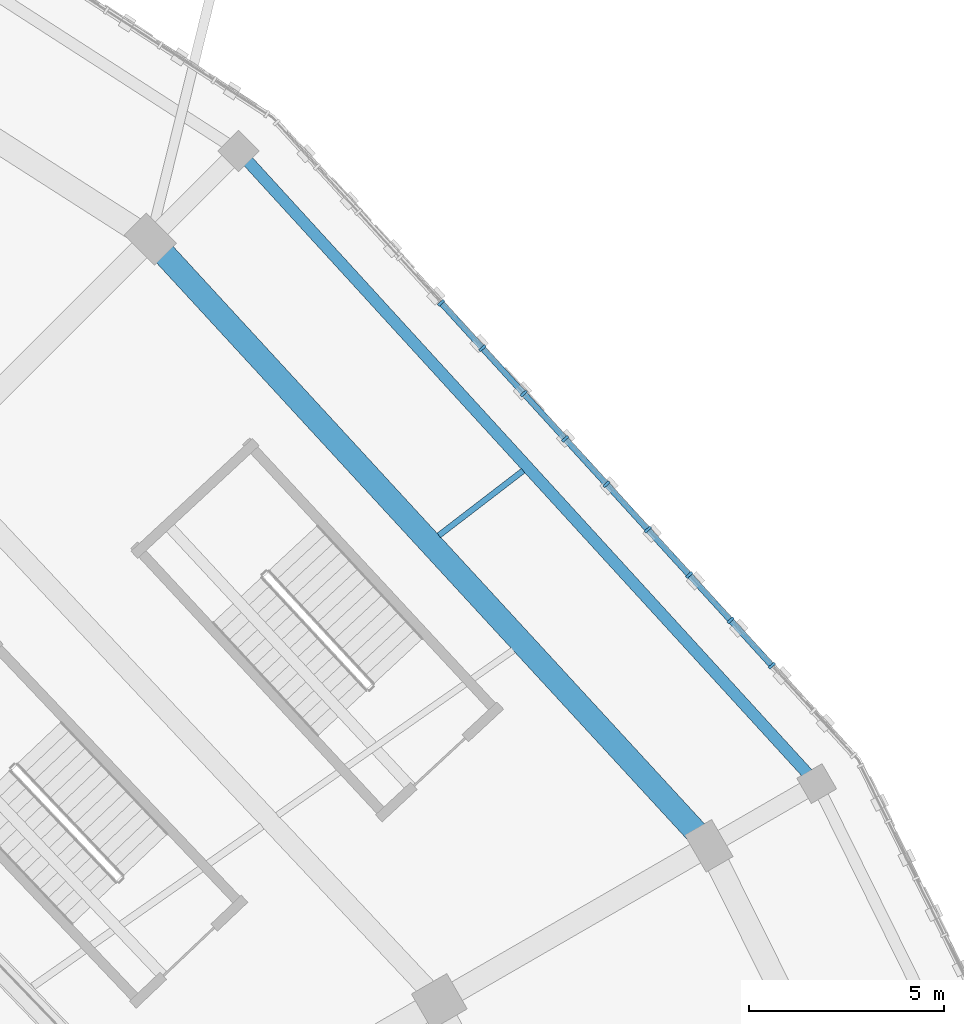
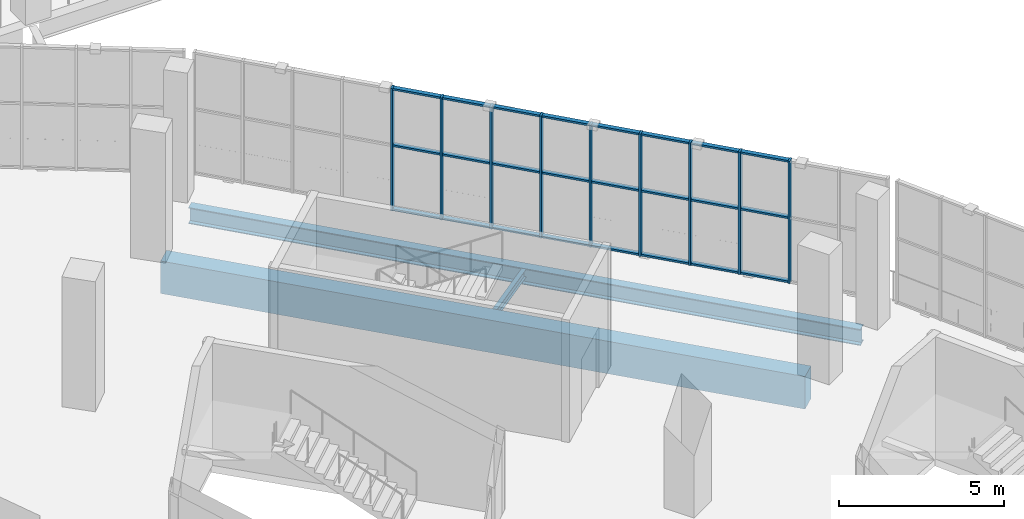
# One storey, part 61 of 183: 33 members, 3 beams, 1 element without a shape of its own.
"""IFC4 building model written with IfcOpenShell, lengths in metres."""

from ifc_helpers import new_model, si_unit, direction, frame, origin, origin_2d, place, context, subcontext, project, spatial, rectangle, i_section, extrude, material, material_profile, profile_set, type_object, element, aggregate, save


model = new_model("IFC4")

# Units and contexts
model_context = context("Model", 3, precision=1e-05, world=origin(), true_north=direction((0.0, 1.0)))
body_context = subcontext(model_context, "Body", "Model", "MODEL_VIEW")
ifc_project = project(units=[si_unit("LENGTHUNIT", "METRE"), si_unit("AREAUNIT", "SQUARE_METRE"), si_unit("VOLUMEUNIT", "CUBIC_METRE"), si_unit("PLANEANGLEUNIT", "RADIAN"), si_unit("MASSUNIT", "GRAM", prefix="KILO")], contexts=[model_context])

# Site, building, storey
site_placement = place(None, origin())
site = spatial("IfcSite", under=ifc_project, at=site_placement, CompositionType="ELEMENT")
building_placement = place(site_placement, origin())
building = spatial("IfcBuilding", under=site, at=building_placement, Name="Zevraka Park Crest Stadium", CompositionType="ELEMENT")
storey_placement = place(building_placement, frame((0.0, 0.0, 5.39990234375)))
storey = spatial("IfcBuildingStorey", under=building, at=storey_placement, Name="L01", CompositionType="ELEMENT", Elevation=5.39990234375)

# Curtain wall, members
ifc_material_1 = material(Name="Anodised architectural aluminium and laminated safety glass", Category="aluminium")
curtain_wall_type = type_object("IfcCurtainWallType", Name="CW03", PredefinedType="NOTDEFINED", material=ifc_material_1)
curtain_wall_placement = place(storey_placement, origin())
curtain_wall = element("IfcCurtainWall", 1, at=curtain_wall_placement, inside=storey, type_object=curtain_wall_type, Name="Unitised Ring Curtain Wall CW03 L01-02", PredefinedType="NOTDEFINED")
ifc_material_2 = material(Name="Anodised architectural aluminium", Category="aluminium")
ifc_material_profile_1 = material_profile(ifc_material_2, rectangle(XDim=0.199951171875, YDim=0.070068359375, at=origin_2d()), Name="ALU MULLION 200x70")
ifc_profile_set_1 = profile_set([ifc_material_profile_1], Name="Anodised architectural aluminium")
member_type_1 = type_object("IfcMemberType", Name="CM03", PredefinedType="MULLION", material=ifc_profile_set_1)
member_1_placement = place(storey_placement, frame((191.82080078125, 134.281494140625, 0.0), z_axis=(0.0, 0.0, 1.0), x_axis=(-0.739023476371, -0.673679672672, 0.0)))
member_1 = element("IfcMember", 2, at=member_1_placement, type_object=member_type_1, Name="CW03 mullion 3", PredefinedType="MULLION", context=body_context, shape_type="SweptSolid", body=[
    extrude(rectangle(XDim=0.199951171875, YDim=0.070068359375, at=origin_2d()), origin(), (0.0, 0.0, 1.0), 4.52001953125),
])
member_2_placement = place(storey_placement, frame((190.758056640625, 135.447021484375, 0.0), z_axis=(0.0, 0.0, 1.0), x_axis=(-0.739023476371, -0.673679672672, 0.0)))
member_2 = element("IfcMember", 3, at=member_2_placement, type_object=member_type_1, Name="CW03 mullion 4", PredefinedType="MULLION", context=body_context, shape_type="SweptSolid", body=[
    extrude(rectangle(XDim=0.199951171875, YDim=0.070068359375, at=origin_2d()), origin(), (0.0, 0.0, 1.0), 4.52001953125),
])
member_3_placement = place(storey_placement, frame((189.6953125, 136.61279296875, 0.0), z_axis=(0.0, 0.0, 1.0), x_axis=(-0.739023476371, -0.673679672672, 0.0)))
member_3 = element("IfcMember", 4, at=member_3_placement, type_object=member_type_1, Name="CW03 mullion 5", PredefinedType="MULLION", context=body_context, shape_type="SweptSolid", body=[
    extrude(rectangle(XDim=0.199951171875, YDim=0.070068359375, at=origin_2d()), origin(), (0.0, 0.0, 1.0), 4.52001953125),
])
member_4_placement = place(storey_placement, frame((188.6328125, 137.778564453125, 0.0), z_axis=(0.0, 0.0, 1.0), x_axis=(-0.739023476371, -0.673679672672, 0.0)))
member_4 = element("IfcMember", 5, at=member_4_placement, type_object=member_type_1, Name="CW03 mullion 6", PredefinedType="MULLION", context=body_context, shape_type="SweptSolid", body=[
    extrude(rectangle(XDim=0.199951171875, YDim=0.070068359375, at=origin_2d()), origin(), (0.0, 0.0, 1.0), 4.52001953125),
])
member_5_placement = place(storey_placement, frame((187.570068359375, 138.9443359375, 0.0), z_axis=(0.0, 0.0, 1.0), x_axis=(-0.739023476371, -0.673679672672, 0.0)))
member_5 = element("IfcMember", 6, at=member_5_placement, type_object=member_type_1, Name="CW03 mullion 7", PredefinedType="MULLION", context=body_context, shape_type="SweptSolid", body=[
    extrude(rectangle(XDim=0.199951171875, YDim=0.070068359375, at=origin_2d()), origin(), (0.0, 0.0, 1.0), 4.52001953125),
])
member_6_placement = place(storey_placement, frame((186.507568359375, 140.110107421875, 0.0), z_axis=(0.0, 0.0, 1.0), x_axis=(-0.739023476371, -0.673679672672, 0.0)))
member_6 = element("IfcMember", 7, at=member_6_placement, type_object=member_type_1, Name="CW03 mullion 8", PredefinedType="MULLION", context=body_context, shape_type="SweptSolid", body=[
    extrude(rectangle(XDim=0.199951171875, YDim=0.070068359375, at=origin_2d()), origin(), (0.0, 0.0, 1.0), 4.52001953125),
])
member_7_placement = place(storey_placement, frame((185.44482421875, 141.275634765625, 0.0), z_axis=(0.0, 0.0, 1.0), x_axis=(-0.739023476371, -0.673679672672, 0.0)))
member_7 = element("IfcMember", 8, at=member_7_placement, type_object=member_type_1, Name="CW03 mullion 9", PredefinedType="MULLION", context=body_context, shape_type="SweptSolid", body=[
    extrude(rectangle(XDim=0.199951171875, YDim=0.070068359375, at=origin_2d()), origin(), (0.0, 0.0, 1.0), 4.52001953125),
])
member_8_placement = place(storey_placement, frame((184.38232421875, 142.44140625, 0.0), z_axis=(0.0, 0.0, 1.0), x_axis=(-0.739023476371, -0.673679672672, 0.0)))
member_8 = element("IfcMember", 9, at=member_8_placement, type_object=member_type_1, Name="CW03 mullion 10", PredefinedType="MULLION", context=body_context, shape_type="SweptSolid", body=[
    extrude(rectangle(XDim=0.199951171875, YDim=0.070068359375, at=origin_2d()), origin(), (0.0, 0.0, 1.0), 4.52001953125),
])
member_9_placement = place(storey_placement, frame((183.319580078125, 143.607177734375, 0.0), z_axis=(0.0, 0.0, 1.0), x_axis=(-0.739023476371, -0.673679672672, 0.0)))
member_9 = element("IfcMember", 10, at=member_9_placement, type_object=member_type_1, Name="CW03 mullion 11", PredefinedType="MULLION", context=body_context, shape_type="SweptSolid", body=[
    extrude(rectangle(XDim=0.199951171875, YDim=0.070068359375, at=origin_2d()), origin(), (0.0, 0.0, 1.0), 4.52001953125),
])
ifc_material_3 = material(Name="Anodised architectural aluminium", Category="aluminium")
ifc_material_profile_2 = material_profile(ifc_material_3, rectangle(XDim=0.14990234375, YDim=0.070068359375, at=origin_2d()), Name="ALU TRANSOM 150x70")
ifc_profile_set_2 = profile_set([ifc_material_profile_2], Name="Anodised architectural aluminium")
member_type_2 = type_object("IfcMemberType", Name="CT03", PredefinedType="USERDEFINED", material=ifc_profile_set_2)
member_10_placement = place(storey_placement, frame((191.797119140625, 134.307373046875, 0.03515625), z_axis=(-0.673631587043, 0.739067307448, 0.0), x_axis=(-0.739067307448, -0.673631587043, 0.0)))
member_10 = element("IfcMember", 11, at=member_10_placement, type_object=member_type_2, Name="CW03 transom 3.1", ObjectType="TRANSOM", PredefinedType="USERDEFINED", context=body_context, shape_type="SweptSolid", body=[
    extrude(rectangle(XDim=0.14990234375, YDim=0.070068359375, at=origin_2d()), origin(), (0.0, 0.0, 1.0), 1.50732421875),
])
member_11_placement = place(storey_placement, frame((191.797119140625, 134.307373046875, 2.400146484375), z_axis=(-0.673631587043, 0.739067307448, 0.0), x_axis=(-0.739067307448, -0.673631587043, 0.0)))
member_11 = element("IfcMember", 12, at=member_11_placement, type_object=member_type_2, Name="CW03 transom 3.2", ObjectType="TRANSOM", PredefinedType="USERDEFINED", context=body_context, shape_type="SweptSolid", body=[
    extrude(rectangle(XDim=0.14990234375, YDim=0.070068359375, at=origin_2d()), origin(), (0.0, 0.0, 1.0), 1.50732421875),
])
member_12_placement = place(storey_placement, frame((191.797119140625, 134.307373046875, 4.485107421875), z_axis=(-0.673631587043, 0.739067307448, 0.0), x_axis=(-0.739067307448, -0.673631587043, 0.0)))
member_12 = element("IfcMember", 13, at=member_12_placement, type_object=member_type_2, Name="CW03 transom 3.3", ObjectType="TRANSOM", PredefinedType="USERDEFINED", context=body_context, shape_type="SweptSolid", body=[
    extrude(rectangle(XDim=0.14990234375, YDim=0.070068359375, at=origin_2d()), origin(), (0.0, 0.0, 1.0), 1.50732421875),
])
member_13_placement = place(storey_placement, frame((190.734375, 135.472900390625, 0.03515625), z_axis=(-0.673631587043, 0.739067307448, 0.0), x_axis=(-0.739067307448, -0.673631587043, 0.0)))
member_13 = element("IfcMember", 14, at=member_13_placement, type_object=member_type_2, Name="CW03 transom 4.1", ObjectType="TRANSOM", PredefinedType="USERDEFINED", context=body_context, shape_type="SweptSolid", body=[
    extrude(rectangle(XDim=0.14990234375, YDim=0.070068359375, at=origin_2d()), origin(), (0.0, 0.0, 1.0), 1.50732421875),
])
member_14_placement = place(storey_placement, frame((190.734375, 135.472900390625, 2.400146484375), z_axis=(-0.673631587043, 0.739067307448, 0.0), x_axis=(-0.739067307448, -0.673631587043, 0.0)))
member_14 = element("IfcMember", 15, at=member_14_placement, type_object=member_type_2, Name="CW03 transom 4.2", ObjectType="TRANSOM", PredefinedType="USERDEFINED", context=body_context, shape_type="SweptSolid", body=[
    extrude(rectangle(XDim=0.14990234375, YDim=0.070068359375, at=origin_2d()), origin(), (0.0, 0.0, 1.0), 1.50732421875),
])
member_15_placement = place(storey_placement, frame((190.734375, 135.472900390625, 4.485107421875), z_axis=(-0.673631587043, 0.739067307448, 0.0), x_axis=(-0.739067307448, -0.673631587043, 0.0)))
member_15 = element("IfcMember", 16, at=member_15_placement, type_object=member_type_2, Name="CW03 transom 4.3", ObjectType="TRANSOM", PredefinedType="USERDEFINED", context=body_context, shape_type="SweptSolid", body=[
    extrude(rectangle(XDim=0.14990234375, YDim=0.070068359375, at=origin_2d()), origin(), (0.0, 0.0, 1.0), 1.50732421875),
])
member_16_placement = place(storey_placement, frame((189.671875, 136.638671875, 0.03515625), z_axis=(-0.673720043681, 0.738986672913, 0.0), x_axis=(-0.738986672913, -0.673720043681, 0.0)))
member_16 = element("IfcMember", 17, at=member_16_placement, type_object=member_type_2, Name="CW03 transom 5.1", ObjectType="TRANSOM", PredefinedType="USERDEFINED", context=body_context, shape_type="SweptSolid", body=[
    extrude(rectangle(XDim=0.14990234375, YDim=0.070068359375, at=origin_2d()), origin(), (0.0, 0.0, 1.0), 1.507568359375),
])
member_17_placement = place(storey_placement, frame((189.671875, 136.638671875, 2.400146484375), z_axis=(-0.673720043681, 0.738986672913, 0.0), x_axis=(-0.738986672913, -0.673720043681, 0.0)))
member_17 = element("IfcMember", 18, at=member_17_placement, type_object=member_type_2, Name="CW03 transom 5.2", ObjectType="TRANSOM", PredefinedType="USERDEFINED", context=body_context, shape_type="SweptSolid", body=[
    extrude(rectangle(XDim=0.14990234375, YDim=0.070068359375, at=origin_2d()), origin(), (0.0, 0.0, 1.0), 1.507568359375),
])
member_18_placement = place(storey_placement, frame((189.671875, 136.638671875, 4.485107421875), z_axis=(-0.673720043681, 0.738986672913, 0.0), x_axis=(-0.738986672913, -0.673720043681, 0.0)))
member_18 = element("IfcMember", 19, at=member_18_placement, type_object=member_type_2, Name="CW03 transom 5.3", ObjectType="TRANSOM", PredefinedType="USERDEFINED", context=body_context, shape_type="SweptSolid", body=[
    extrude(rectangle(XDim=0.14990234375, YDim=0.070068359375, at=origin_2d()), origin(), (0.0, 0.0, 1.0), 1.507568359375),
])
member_19_placement = place(storey_placement, frame((188.609130859375, 137.804443359375, 0.03515625), z_axis=(-0.673631587043, 0.739067307448, 0.0), x_axis=(-0.739067307448, -0.673631587043, 0.0)))
member_19 = element("IfcMember", 20, at=member_19_placement, type_object=member_type_2, Name="CW03 transom 6.1", ObjectType="TRANSOM", PredefinedType="USERDEFINED", context=body_context, shape_type="SweptSolid", body=[
    extrude(rectangle(XDim=0.14990234375, YDim=0.070068359375, at=origin_2d()), origin(), (0.0, 0.0, 1.0), 1.50732421875),
])
member_20_placement = place(storey_placement, frame((188.609130859375, 137.804443359375, 2.400146484375), z_axis=(-0.673631587043, 0.739067307448, 0.0), x_axis=(-0.739067307448, -0.673631587043, 0.0)))
member_20 = element("IfcMember", 21, at=member_20_placement, type_object=member_type_2, Name="CW03 transom 6.2", ObjectType="TRANSOM", PredefinedType="USERDEFINED", context=body_context, shape_type="SweptSolid", body=[
    extrude(rectangle(XDim=0.14990234375, YDim=0.070068359375, at=origin_2d()), origin(), (0.0, 0.0, 1.0), 1.50732421875),
])
member_21_placement = place(storey_placement, frame((188.609130859375, 137.804443359375, 4.485107421875), z_axis=(-0.673631587043, 0.739067307448, 0.0), x_axis=(-0.739067307448, -0.673631587043, 0.0)))
member_21 = element("IfcMember", 22, at=member_21_placement, type_object=member_type_2, Name="CW03 transom 6.3", ObjectType="TRANSOM", PredefinedType="USERDEFINED", context=body_context, shape_type="SweptSolid", body=[
    extrude(rectangle(XDim=0.14990234375, YDim=0.070068359375, at=origin_2d()), origin(), (0.0, 0.0, 1.0), 1.50732421875),
])
member_22_placement = place(storey_placement, frame((187.546630859375, 138.97021484375, 0.03515625), z_axis=(-0.673720043681, 0.738986672913, 0.0), x_axis=(-0.738986672913, -0.673720043681, 0.0)))
member_22 = element("IfcMember", 23, at=member_22_placement, type_object=member_type_2, Name="CW03 transom 7.1", ObjectType="TRANSOM", PredefinedType="USERDEFINED", context=body_context, shape_type="SweptSolid", body=[
    extrude(rectangle(XDim=0.14990234375, YDim=0.070068359375, at=origin_2d()), origin(), (0.0, 0.0, 1.0), 1.507568359375),
])
member_23_placement = place(storey_placement, frame((187.546630859375, 138.97021484375, 2.400146484375), z_axis=(-0.673720043681, 0.738986672913, 0.0), x_axis=(-0.738986672913, -0.673720043681, 0.0)))
member_23 = element("IfcMember", 24, at=member_23_placement, type_object=member_type_2, Name="CW03 transom 7.2", ObjectType="TRANSOM", PredefinedType="USERDEFINED", context=body_context, shape_type="SweptSolid", body=[
    extrude(rectangle(XDim=0.14990234375, YDim=0.070068359375, at=origin_2d()), origin(), (0.0, 0.0, 1.0), 1.507568359375),
])
member_24_placement = place(storey_placement, frame((187.546630859375, 138.97021484375, 4.485107421875), z_axis=(-0.673720043681, 0.738986672913, 0.0), x_axis=(-0.738986672913, -0.673720043681, 0.0)))
member_24 = element("IfcMember", 25, at=member_24_placement, type_object=member_type_2, Name="CW03 transom 7.3", ObjectType="TRANSOM", PredefinedType="USERDEFINED", context=body_context, shape_type="SweptSolid", body=[
    extrude(rectangle(XDim=0.14990234375, YDim=0.070068359375, at=origin_2d()), origin(), (0.0, 0.0, 1.0), 1.507568359375),
])
member_25_placement = place(storey_placement, frame((186.48388671875, 140.135986328125, 0.03515625), z_axis=(-0.673712230725, 0.73899379576, 0.0), x_axis=(-0.73899379576, -0.673712230725, 0.0)))
member_25 = element("IfcMember", 26, at=member_25_placement, type_object=member_type_2, Name="CW03 transom 8.1", ObjectType="TRANSOM", PredefinedType="USERDEFINED", context=body_context, shape_type="SweptSolid", body=[
    extrude(rectangle(XDim=0.14990234375, YDim=0.070068359375, at=origin_2d()), origin(), (0.0, 0.0, 1.0), 1.507080078125),
])
member_26_placement = place(storey_placement, frame((186.48388671875, 140.135986328125, 2.400146484375), z_axis=(-0.673712230725, 0.73899379576, 0.0), x_axis=(-0.73899379576, -0.673712230725, 0.0)))
member_26 = element("IfcMember", 27, at=member_26_placement, type_object=member_type_2, Name="CW03 transom 8.2", ObjectType="TRANSOM", PredefinedType="USERDEFINED", context=body_context, shape_type="SweptSolid", body=[
    extrude(rectangle(XDim=0.14990234375, YDim=0.070068359375, at=origin_2d()), origin(), (0.0, 0.0, 1.0), 1.507080078125),
])
member_27_placement = place(storey_placement, frame((186.48388671875, 140.135986328125, 4.485107421875), z_axis=(-0.673712230725, 0.73899379576, 0.0), x_axis=(-0.73899379576, -0.673712230725, 0.0)))
member_27 = element("IfcMember", 28, at=member_27_placement, type_object=member_type_2, Name="CW03 transom 8.3", ObjectType="TRANSOM", PredefinedType="USERDEFINED", context=body_context, shape_type="SweptSolid", body=[
    extrude(rectangle(XDim=0.14990234375, YDim=0.070068359375, at=origin_2d()), origin(), (0.0, 0.0, 1.0), 1.507080078125),
])
member_28_placement = place(storey_placement, frame((185.42138671875, 141.301513671875, 0.03515625), z_axis=(-0.673720043681, 0.738986672913, 0.0), x_axis=(-0.738986672913, -0.673720043681, 0.0)))
member_28 = element("IfcMember", 29, at=member_28_placement, type_object=member_type_2, Name="CW03 transom 9.1", ObjectType="TRANSOM", PredefinedType="USERDEFINED", context=body_context, shape_type="SweptSolid", body=[
    extrude(rectangle(XDim=0.14990234375, YDim=0.070068359375, at=origin_2d()), origin(), (0.0, 0.0, 1.0), 1.507568359375),
])
member_29_placement = place(storey_placement, frame((185.42138671875, 141.301513671875, 2.400146484375), z_axis=(-0.673720043681, 0.738986672913, 0.0), x_axis=(-0.738986672913, -0.673720043681, 0.0)))
member_29 = element("IfcMember", 30, at=member_29_placement, type_object=member_type_2, Name="CW03 transom 9.2", ObjectType="TRANSOM", PredefinedType="USERDEFINED", context=body_context, shape_type="SweptSolid", body=[
    extrude(rectangle(XDim=0.14990234375, YDim=0.070068359375, at=origin_2d()), origin(), (0.0, 0.0, 1.0), 1.507568359375),
])
member_30_placement = place(storey_placement, frame((185.42138671875, 141.301513671875, 4.485107421875), z_axis=(-0.673720043681, 0.738986672913, 0.0), x_axis=(-0.738986672913, -0.673720043681, 0.0)))
member_30 = element("IfcMember", 31, at=member_30_placement, type_object=member_type_2, Name="CW03 transom 9.3", ObjectType="TRANSOM", PredefinedType="USERDEFINED", context=body_context, shape_type="SweptSolid", body=[
    extrude(rectangle(XDim=0.14990234375, YDim=0.070068359375, at=origin_2d()), origin(), (0.0, 0.0, 1.0), 1.507568359375),
])
member_31_placement = place(storey_placement, frame((184.358642578125, 142.46728515625, 0.03515625), z_axis=(-0.673631587043, 0.739067307448, 0.0), x_axis=(-0.739067307448, -0.673631587043, 0.0)))
member_31 = element("IfcMember", 32, at=member_31_placement, type_object=member_type_2, Name="CW03 transom 10.1", ObjectType="TRANSOM", PredefinedType="USERDEFINED", context=body_context, shape_type="SweptSolid", body=[
    extrude(rectangle(XDim=0.14990234375, YDim=0.070068359375, at=origin_2d()), origin(), (0.0, 0.0, 1.0), 1.50732421875),
])
member_32_placement = place(storey_placement, frame((184.358642578125, 142.46728515625, 2.400146484375), z_axis=(-0.673631587043, 0.739067307448, 0.0), x_axis=(-0.739067307448, -0.673631587043, 0.0)))
member_32 = element("IfcMember", 33, at=member_32_placement, type_object=member_type_2, Name="CW03 transom 10.2", ObjectType="TRANSOM", PredefinedType="USERDEFINED", context=body_context, shape_type="SweptSolid", body=[
    extrude(rectangle(XDim=0.14990234375, YDim=0.070068359375, at=origin_2d()), origin(), (0.0, 0.0, 1.0), 1.50732421875),
])
member_33_placement = place(storey_placement, frame((184.358642578125, 142.46728515625, 4.485107421875), z_axis=(-0.673631587043, 0.739067307448, 0.0), x_axis=(-0.739067307448, -0.673631587043, 0.0)))
member_33 = element("IfcMember", 34, at=member_33_placement, type_object=member_type_2, Name="CW03 transom 10.3", ObjectType="TRANSOM", PredefinedType="USERDEFINED", context=body_context, shape_type="SweptSolid", body=[
    extrude(rectangle(XDim=0.14990234375, YDim=0.070068359375, at=origin_2d()), origin(), (0.0, 0.0, 1.0), 1.50732421875),
])
aggregate(curtain_wall, [member_1, member_2, member_3, member_4, member_5, member_6, member_7, member_8, member_9, member_10, member_11, member_12, member_13, member_14, member_15, member_16, member_17, member_18, member_19, member_20, member_21, member_22, member_23, member_24, member_25, member_26, member_27, member_28, member_29, member_30, member_31, member_32, member_33])

# Beams
ifc_material_4 = material(Name="Concrete C40/50", Category="concrete")
ifc_material_profile_3 = material_profile(ifc_material_4, rectangle(XDim=0.60009765625, YDim=1.199951171875, at=origin_2d()), Name="RC 1200x600")
ifc_profile_set_3 = profile_set([ifc_material_profile_3], Name="Concrete C40/50")
beam_type_1 = type_object("IfcBeamType", Name="RB01", PredefinedType="BEAM", material=ifc_profile_set_3)
beam_1_placement = place(storey_placement, frame((189.945068359375, 129.929931640625, -0.60986328125), z_axis=(-0.677158252403, 0.735837414924, 0.0), x_axis=(-0.735837414924, -0.677158252403, 0.0)))
element("IfcBeam", 35, at=beam_1_placement, inside=storey, type_object=beam_type_1, Name="Ring Beam RB01 L01-D-02", PredefinedType="BEAM", context=body_context, shape_type="SweptSolid", body=[
    extrude(rectangle(XDim=0.60009765625, YDim=1.199951171875, at=origin_2d()), origin(), (0.0, 0.0, 1.0), 20.4326171875),
])
ifc_material_5 = material(Name="Steel S355", Category="steel")
ifc_material_profile_4 = material_profile(ifc_material_5, i_section(OverallWidth=0.300048828125, OverallDepth=0.60009765625, WebThickness=0.015380859375, FlangeThickness=0.030029296875, at=origin_2d()), Name="HEB 600")
ifc_profile_set_4 = profile_set([ifc_material_profile_4], Name="Steel S355")
beam_type_2 = type_object("IfcBeamType", Name="RB03", PredefinedType="BEAM", material=ifc_profile_set_4)
beam_2_placement = place(storey_placement, frame((192.737060546875, 131.508056640625, -0.60498046875), z_axis=(-0.674624342029, 0.738161227065, 0.0), x_axis=(-0.738161227065, -0.674624342029, 0.0)))
element("IfcBeam", 36, at=beam_2_placement, inside=storey, type_object=beam_type_2, Name="Ring Beam RB03 L01-E-02", PredefinedType="BEAM", context=body_context, shape_type="SweptSolid", body=[
    extrude(i_section(OverallWidth=0.300048828125, OverallDepth=0.60009765625, WebThickness=0.015380859375, FlangeThickness=0.030029296875, at=origin_2d()), origin(), (0.0, 0.0, 1.0), 21.325927734375),
])
ifc_material_6 = material(Name="Steel S355", Category="steel")
ifc_material_profile_5 = material_profile(ifc_material_6, i_section(OverallWidth=0.14990234375, OverallDepth=0.300048828125, WebThickness=0.007080078125, FlangeThickness=0.0107421875, at=origin_2d()), Name="IPE 300")
ifc_profile_set_5 = profile_set([ifc_material_profile_5], Name="Steel S355")
beam_type_3 = type_object("IfcBeamType", Name="SJ01", PredefinedType="JOIST", material=ifc_profile_set_5)
beam_3_placement = place(storey_placement, frame((183.260986328125, 137.626953125, -0.4580078125), z_axis=(0.793128631587, 0.609054163238, 0.0), x_axis=(-0.609054163238, 0.793128631587, 0.0)))
element("IfcBeam", 37, at=beam_3_placement, inside=storey, type_object=beam_type_3, Name="Floor Joist SJ01 L01-DE-02-1", PredefinedType="JOIST", context=body_context, shape_type="SweptSolid", body=[
    extrude(i_section(OverallWidth=0.14990234375, OverallDepth=0.300048828125, WebThickness=0.007080078125, FlangeThickness=0.0107421875, at=origin_2d()), origin(), (0.0, 0.0, 1.0), 2.732177734375),
])

save(model, "model.ifc")
